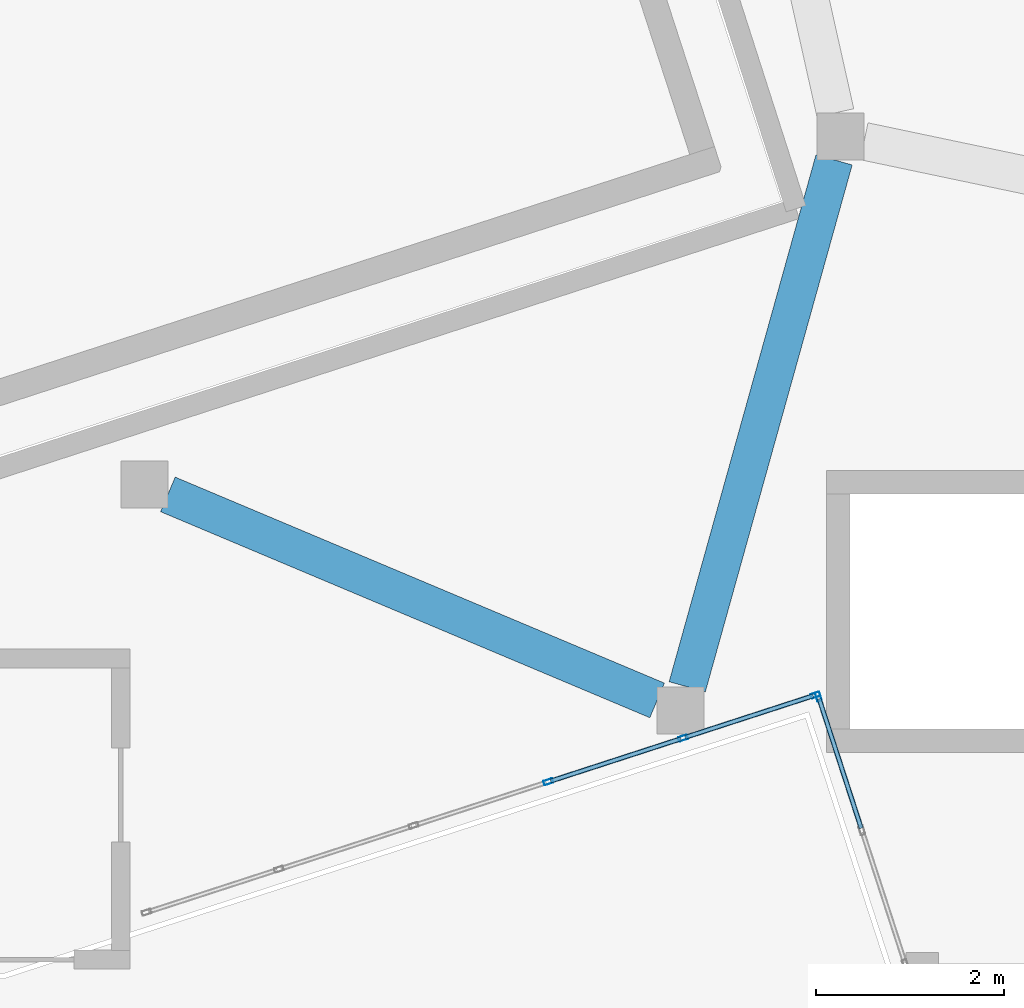
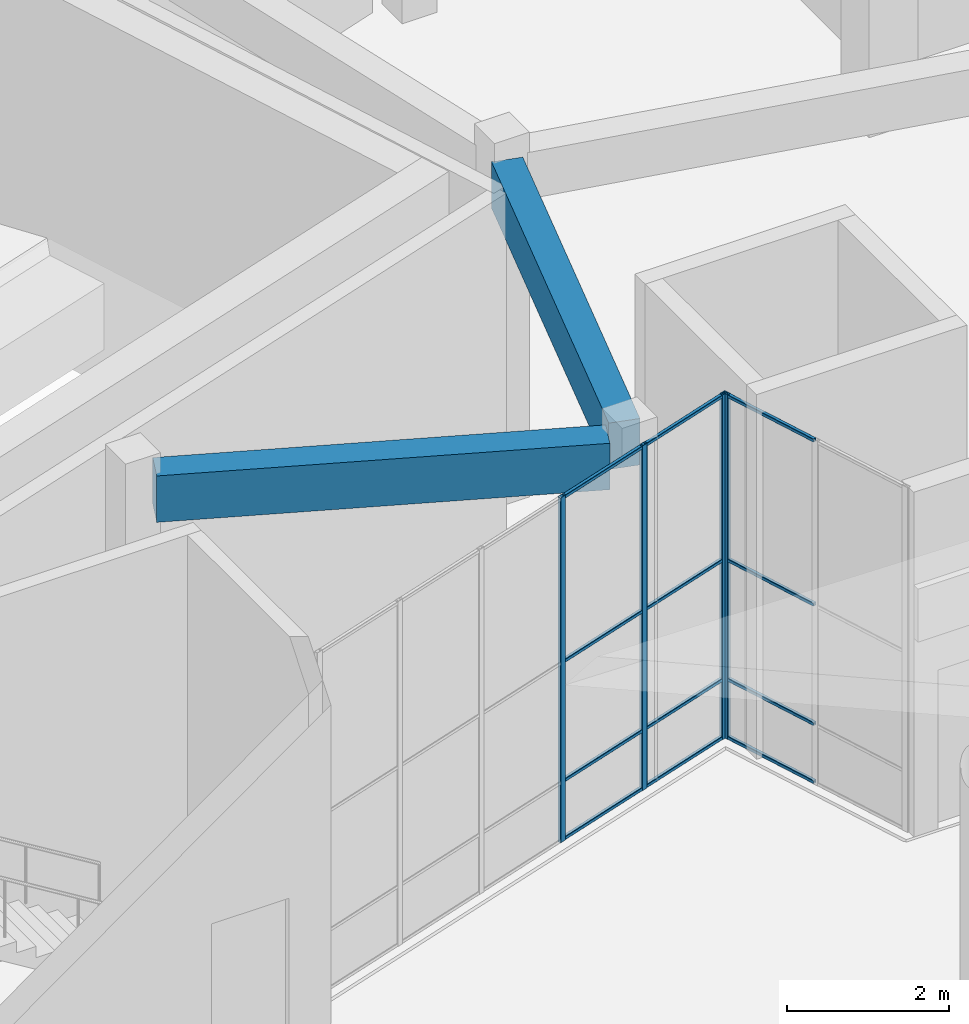
# One storey, part 6 of 72: 16 members, 2 beams, 2 elements without a shape of their own.
"""IFC4 building model written with IfcOpenShell, lengths in metres."""

from ifc_helpers import new_model, si_unit, direction, frame, origin, origin_2d, place, context, subcontext, project, spatial, rectangle, hollow_rectangle, extrude, material, layer, layer_set, material_profile, profile_set, type_object, element, aggregate, save


model = new_model("IFC4")

# Units and contexts
model_context = context("Model", 3, precision=1e-05, world=origin(), true_north=direction((0.0, 1.0)))
body_context = subcontext(model_context, "Body", "Model", "MODEL_VIEW")
ifc_project = project(units=[si_unit("LENGTHUNIT", "METRE"), si_unit("AREAUNIT", "SQUARE_METRE"), si_unit("VOLUMEUNIT", "CUBIC_METRE"), si_unit("PLANEANGLEUNIT", "RADIAN"), si_unit("MASSUNIT", "GRAM", prefix="KILO")], contexts=[model_context])

# Site, building, storey
site_placement = place(None, origin())
site = spatial("IfcSite", under=ifc_project, at=site_placement, CompositionType="ELEMENT")
building_placement = place(site_placement, origin())
building = spatial("IfcBuilding", under=site, at=building_placement, Name="Tuart Plaza Theatre", CompositionType="ELEMENT")
storey_placement = place(building_placement, origin())
storey = spatial("IfcBuildingStorey", under=building, at=storey_placement, Name="L00", CompositionType="ELEMENT", Elevation=0.0)

# Beams
ifc_material_1 = material(Name="Concrete N40 (40 MPa)", Category="concrete")
ifc_material_profile_1 = material_profile(ifc_material_1, rectangle(XDim=0.39990234375, YDim=0.699951171875, at=origin_2d()), Name="BEAM 400x700 Concrete N40 (40 MPa)")
ifc_profile_set_1 = profile_set([ifc_material_profile_1], Name="Concrete N40 (40 MPa)")
beam_type = type_object("IfcBeamType", Name="BEAM 400x700 Concrete N40 (40 MPa)", PredefinedType="BEAM", material=ifc_profile_set_1)
beam_1_placement = place(storey_placement, frame((76.949951171875, 45.30517578125, 4.85009765625), z_axis=(-0.921635375138, 0.388057000058, 0.0), x_axis=(-0.388057000058, -0.921635375138, 0.0)))
element("IfcBeam", 1, at=beam_1_placement, inside=storey, type_object=beam_type, Name="RB449", PredefinedType="BEAM", context=body_context, shape_type="SweptSolid", body=[
    extrude(rectangle(XDim=0.39990234375, YDim=0.699951171875, at=origin_2d()), origin(), (0.0, 0.0, 1.0), 5.64208984375),
])
beam_2_placement = place(storey_placement, frame((77.269775390625, 45.449951171875, 4.85009765625), z_axis=(0.268436517251, 0.963297376829, 0.0), x_axis=(-0.963297376829, 0.268436517251, 0.0)))
element("IfcBeam", 2, at=beam_2_placement, inside=storey, type_object=beam_type, Name="RB450", PredefinedType="BEAM", context=body_context, shape_type="SweptSolid", body=[
    extrude(rectangle(XDim=0.39990234375, YDim=0.699951171875, at=origin_2d()), origin(), (0.0, 0.0, 1.0), 5.8134765625),
])

# Curtain wall, members
ifc_material_2 = material(Name="Aluminium and glass", Category="aluminium")
ifc_layer = layer(ifc_material_2, 0.10009765625)
ifc_layer_set = layer_set([ifc_layer], Name="CURTAIN WALL 1500 module")
curtain_wall_type = type_object("IfcCurtainWallType", Name="CURTAIN WALL 1500 module", PredefinedType="NOTDEFINED", material=ifc_layer_set)
curtain_wall_1_placement = place(storey_placement, origin())
curtain_wall_1 = element("IfcCurtainWall", 3, at=curtain_wall_1_placement, inside=storey, type_object=curtain_wall_type, Name="CW1", PredefinedType="NOTDEFINED")
ifc_material_3 = material(Name="Aluminium 6063-T5", Category="aluminium")
ifc_material_profile_2 = material_profile(ifc_material_3, hollow_rectangle(XDim=0.050048828125, YDim=0.10009765625, WallThickness=0.00390625, InnerFilletRadius=0.00390625, OuterFilletRadius=0.008056640625, at=origin_2d()), Name="RHS 100x50x4")
ifc_profile_set_2 = profile_set([ifc_material_profile_2], Name="Aluminium 6063-T5")
member_type_1 = type_object("IfcMemberType", Name="MULLION RHS 100x50x4", PredefinedType="MULLION", material=ifc_profile_set_2)
member_1_placement = place(storey_placement, frame((75.793701171875, 44.43994140625, 0.0), z_axis=(0.0, 0.0, 1.0), x_axis=(-0.308985579126, 0.951066723155, 0.0)))
member_1 = element("IfcMember", 4, at=member_1_placement, type_object=member_type_1, Name="CW1 mullion 4", PredefinedType="MULLION", context=body_context, shape_type="SweptSolid", body=[
    extrude(hollow_rectangle(XDim=0.050048828125, YDim=0.10009765625, WallThickness=0.00390625, InnerFilletRadius=0.00390625, OuterFilletRadius=0.008056640625, at=origin_2d()), origin(), (0.0, 0.0, 1.0), 5.199951171875),
])
member_2_placement = place(storey_placement, frame((77.22509765625, 44.905029296875, 0.0), z_axis=(0.0, 0.0, 1.0), x_axis=(-0.308985579126, 0.951066723155, 0.0)))
member_2 = element("IfcMember", 5, at=member_2_placement, type_object=member_type_1, Name="CW1 mullion 5", PredefinedType="MULLION", context=body_context, shape_type="SweptSolid", body=[
    extrude(hollow_rectangle(XDim=0.050048828125, YDim=0.10009765625, WallThickness=0.00390625, InnerFilletRadius=0.00390625, OuterFilletRadius=0.008056640625, at=origin_2d()), origin(), (0.0, 0.0, 1.0), 5.199951171875),
])
member_3_placement = place(storey_placement, frame((78.632568359375, 45.3623046875, 0.0), z_axis=(0.0, 0.0, 1.0), x_axis=(-0.308985579126, 0.951066723155, 0.0)))
member_3 = element("IfcMember", 6, at=member_3_placement, type_object=member_type_1, Name="CW1 mullion 6", PredefinedType="MULLION", context=body_context, shape_type="SweptSolid", body=[
    extrude(hollow_rectangle(XDim=0.050048828125, YDim=0.10009765625, WallThickness=0.00390625, InnerFilletRadius=0.00390625, OuterFilletRadius=0.008056640625, at=origin_2d()), origin(), (0.0, 0.0, 1.0), 5.199951171875),
])

# Curtain wall, member
curtain_wall_2_placement = place(storey_placement, origin())
curtain_wall_2 = element("IfcCurtainWall", 7, at=curtain_wall_2_placement, inside=storey, type_object=curtain_wall_type, Name="CW2", PredefinedType="NOTDEFINED")
member_4_placement = place(storey_placement, frame((78.6640625, 45.34619140625, 0.0), z_axis=(0.0, 0.0, 1.0), x_axis=(0.951056113998, 0.309018232516, 0.0)))
member_4 = element("IfcMember", 8, at=member_4_placement, type_object=member_type_1, Name="CW2 mullion 1", PredefinedType="MULLION", context=body_context, shape_type="SweptSolid", body=[
    extrude(hollow_rectangle(XDim=0.050048828125, YDim=0.10009765625, WallThickness=0.00390625, InnerFilletRadius=0.00390625, OuterFilletRadius=0.008056640625, at=origin_2d()), origin(), (0.0, 0.0, 1.0), 5.199951171875),
])

# Member
ifc_material_4 = material(Name="Aluminium 6063-T5", Category="aluminium")
ifc_material_profile_3 = material_profile(ifc_material_4, hollow_rectangle(XDim=0.050048828125, YDim=0.050048828125, WallThickness=0.00390625, InnerFilletRadius=0.00390625, OuterFilletRadius=0.008056640625, at=origin_2d()), Name="RHS 50x50x4")
ifc_profile_set_3 = profile_set([ifc_material_profile_3], Name="Aluminium 6063-T5")
member_type_2 = type_object("IfcMemberType", Name="TRANSOM RHS 50x50x4", PredefinedType="USERDEFINED", material=ifc_profile_set_3)
member_5_placement = place(storey_placement, frame((75.817626953125, 44.44775390625, 0.02490234375), z_axis=(0.951072294381, 0.308968430202, 0.0), x_axis=(-0.308968430202, 0.951072294381, 0.0)))
member_5 = element("IfcMember", 9, at=member_5_placement, type_object=member_type_2, Name="CW1 transom 4.1", ObjectType="TRANSOM", PredefinedType="USERDEFINED", context=body_context, shape_type="SweptSolid", body=[
    extrude(hollow_rectangle(XDim=0.050048828125, YDim=0.050048828125, WallThickness=0.00390625, InnerFilletRadius=0.00390625, OuterFilletRadius=0.008056640625, at=origin_2d()), origin(), (0.0, 0.0, 1.0), 1.454833984375),
])

member_6_placement = place(storey_placement, frame((75.817626953125, 44.44775390625, 0.89990234375), z_axis=(0.951072294381, 0.308968430202, 0.0), x_axis=(-0.308968430202, 0.951072294381, 0.0)))
member_6 = element("IfcMember", 10, at=member_6_placement, type_object=member_type_2, Name="CW1 transom 4.2", ObjectType="TRANSOM", PredefinedType="USERDEFINED", context=body_context, shape_type="SweptSolid", body=[
    extrude(hollow_rectangle(XDim=0.050048828125, YDim=0.050048828125, WallThickness=0.00390625, InnerFilletRadius=0.00390625, OuterFilletRadius=0.008056640625, at=origin_2d()), origin(), (0.0, 0.0, 1.0), 1.454833984375),
])

member_7_placement = place(storey_placement, frame((75.817626953125, 44.44775390625, 2.699951171875), z_axis=(0.951072294381, 0.308968430202, 0.0), x_axis=(-0.308968430202, 0.951072294381, 0.0)))
member_7 = element("IfcMember", 11, at=member_7_placement, type_object=member_type_2, Name="CW1 transom 4.3", ObjectType="TRANSOM", PredefinedType="USERDEFINED", context=body_context, shape_type="SweptSolid", body=[
    extrude(hollow_rectangle(XDim=0.050048828125, YDim=0.050048828125, WallThickness=0.00390625, InnerFilletRadius=0.00390625, OuterFilletRadius=0.008056640625, at=origin_2d()), origin(), (0.0, 0.0, 1.0), 1.454833984375),
])

member_8_placement = place(storey_placement, frame((75.817626953125, 44.44775390625, 5.175048828125), z_axis=(0.951072294381, 0.308968430202, 0.0), x_axis=(-0.308968430202, 0.951072294381, 0.0)))
member_8 = element("IfcMember", 12, at=member_8_placement, type_object=member_type_2, Name="CW1 transom 4.4", ObjectType="TRANSOM", PredefinedType="USERDEFINED", context=body_context, shape_type="SweptSolid", body=[
    extrude(hollow_rectangle(XDim=0.050048828125, YDim=0.050048828125, WallThickness=0.00390625, InnerFilletRadius=0.00390625, OuterFilletRadius=0.008056640625, at=origin_2d()), origin(), (0.0, 0.0, 1.0), 1.454833984375),
])

member_9_placement = place(storey_placement, frame((77.248779296875, 44.912841796875, 0.02490234375), z_axis=(0.951096790658, 0.308893015135, 0.0), x_axis=(-0.308893015135, 0.951096790658, 0.0)))
member_9 = element("IfcMember", 13, at=member_9_placement, type_object=member_type_2, Name="CW1 transom 5.1", ObjectType="TRANSOM", PredefinedType="USERDEFINED", context=body_context, shape_type="SweptSolid", body=[
    extrude(hollow_rectangle(XDim=0.050048828125, YDim=0.050048828125, WallThickness=0.00390625, InnerFilletRadius=0.00390625, OuterFilletRadius=0.008056640625, at=origin_2d()), origin(), (0.0, 0.0, 1.0), 1.4296875),
])

member_10_placement = place(storey_placement, frame((77.248779296875, 44.912841796875, 0.89990234375), z_axis=(0.951096790658, 0.308893015135, 0.0), x_axis=(-0.308893015135, 0.951096790658, 0.0)))
member_10 = element("IfcMember", 14, at=member_10_placement, type_object=member_type_2, Name="CW1 transom 5.2", ObjectType="TRANSOM", PredefinedType="USERDEFINED", context=body_context, shape_type="SweptSolid", body=[
    extrude(hollow_rectangle(XDim=0.050048828125, YDim=0.050048828125, WallThickness=0.00390625, InnerFilletRadius=0.00390625, OuterFilletRadius=0.008056640625, at=origin_2d()), origin(), (0.0, 0.0, 1.0), 1.4296875),
])

member_11_placement = place(storey_placement, frame((77.248779296875, 44.912841796875, 2.699951171875), z_axis=(0.951096790658, 0.308893015135, 0.0), x_axis=(-0.308893015135, 0.951096790658, 0.0)))
member_11 = element("IfcMember", 15, at=member_11_placement, type_object=member_type_2, Name="CW1 transom 5.3", ObjectType="TRANSOM", PredefinedType="USERDEFINED", context=body_context, shape_type="SweptSolid", body=[
    extrude(hollow_rectangle(XDim=0.050048828125, YDim=0.050048828125, WallThickness=0.00390625, InnerFilletRadius=0.00390625, OuterFilletRadius=0.008056640625, at=origin_2d()), origin(), (0.0, 0.0, 1.0), 1.4296875),
])

member_12_placement = place(storey_placement, frame((77.248779296875, 44.912841796875, 5.175048828125), z_axis=(0.951096790658, 0.308893015135, 0.0), x_axis=(-0.308893015135, 0.951096790658, 0.0)))
member_12 = element("IfcMember", 16, at=member_12_placement, type_object=member_type_2, Name="CW1 transom 5.4", ObjectType="TRANSOM", PredefinedType="USERDEFINED", context=body_context, shape_type="SweptSolid", body=[
    extrude(hollow_rectangle(XDim=0.050048828125, YDim=0.050048828125, WallThickness=0.00390625, InnerFilletRadius=0.00390625, OuterFilletRadius=0.008056640625, at=origin_2d()), origin(), (0.0, 0.0, 1.0), 1.4296875),
])

aggregate(curtain_wall_1, [member_1, member_2, member_3, member_5, member_6, member_7, member_8, member_9, member_10, member_11, member_12])

member_13_placement = place(storey_placement, frame((78.671875, 45.322509765625, 0.02490234375), z_axis=(0.308921844145, -0.951087427217, 0.0), x_axis=(0.951087427217, 0.308921844145, 0.0)))
member_13 = element("IfcMember", 17, at=member_13_placement, type_object=member_type_2, Name="CW2 transom 1.1", ObjectType="TRANSOM", PredefinedType="USERDEFINED", context=body_context, shape_type="SweptSolid", body=[
    extrude(hollow_rectangle(XDim=0.050048828125, YDim=0.050048828125, WallThickness=0.00390625, InnerFilletRadius=0.00390625, OuterFilletRadius=0.008056640625, at=origin_2d()), origin(), (0.0, 0.0, 1.0), 1.445556640625),
])

member_14_placement = place(storey_placement, frame((78.671875, 45.322509765625, 0.89990234375), z_axis=(0.308921844145, -0.951087427217, 0.0), x_axis=(0.951087427217, 0.308921844145, 0.0)))
member_14 = element("IfcMember", 18, at=member_14_placement, type_object=member_type_2, Name="CW2 transom 1.2", ObjectType="TRANSOM", PredefinedType="USERDEFINED", context=body_context, shape_type="SweptSolid", body=[
    extrude(hollow_rectangle(XDim=0.050048828125, YDim=0.050048828125, WallThickness=0.00390625, InnerFilletRadius=0.00390625, OuterFilletRadius=0.008056640625, at=origin_2d()), origin(), (0.0, 0.0, 1.0), 1.445556640625),
])

member_15_placement = place(storey_placement, frame((78.671875, 45.322509765625, 2.699951171875), z_axis=(0.308921844145, -0.951087427217, 0.0), x_axis=(0.951087427217, 0.308921844145, 0.0)))
member_15 = element("IfcMember", 19, at=member_15_placement, type_object=member_type_2, Name="CW2 transom 1.3", ObjectType="TRANSOM", PredefinedType="USERDEFINED", context=body_context, shape_type="SweptSolid", body=[
    extrude(hollow_rectangle(XDim=0.050048828125, YDim=0.050048828125, WallThickness=0.00390625, InnerFilletRadius=0.00390625, OuterFilletRadius=0.008056640625, at=origin_2d()), origin(), (0.0, 0.0, 1.0), 1.445556640625),
])

member_16_placement = place(storey_placement, frame((78.671875, 45.322509765625, 5.175048828125), z_axis=(0.308921844145, -0.951087427217, 0.0), x_axis=(0.951087427217, 0.308921844145, 0.0)))
member_16 = element("IfcMember", 20, at=member_16_placement, type_object=member_type_2, Name="CW2 transom 1.4", ObjectType="TRANSOM", PredefinedType="USERDEFINED", context=body_context, shape_type="SweptSolid", body=[
    extrude(hollow_rectangle(XDim=0.050048828125, YDim=0.050048828125, WallThickness=0.00390625, InnerFilletRadius=0.00390625, OuterFilletRadius=0.008056640625, at=origin_2d()), origin(), (0.0, 0.0, 1.0), 1.445556640625),
])

aggregate(curtain_wall_2, [member_4, member_13, member_14, member_15, member_16])

save(model, "model.ifc")
